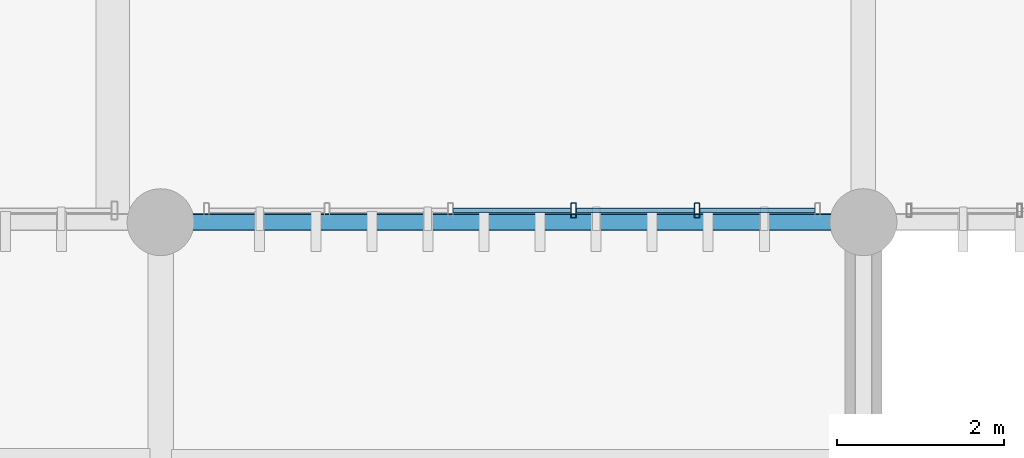
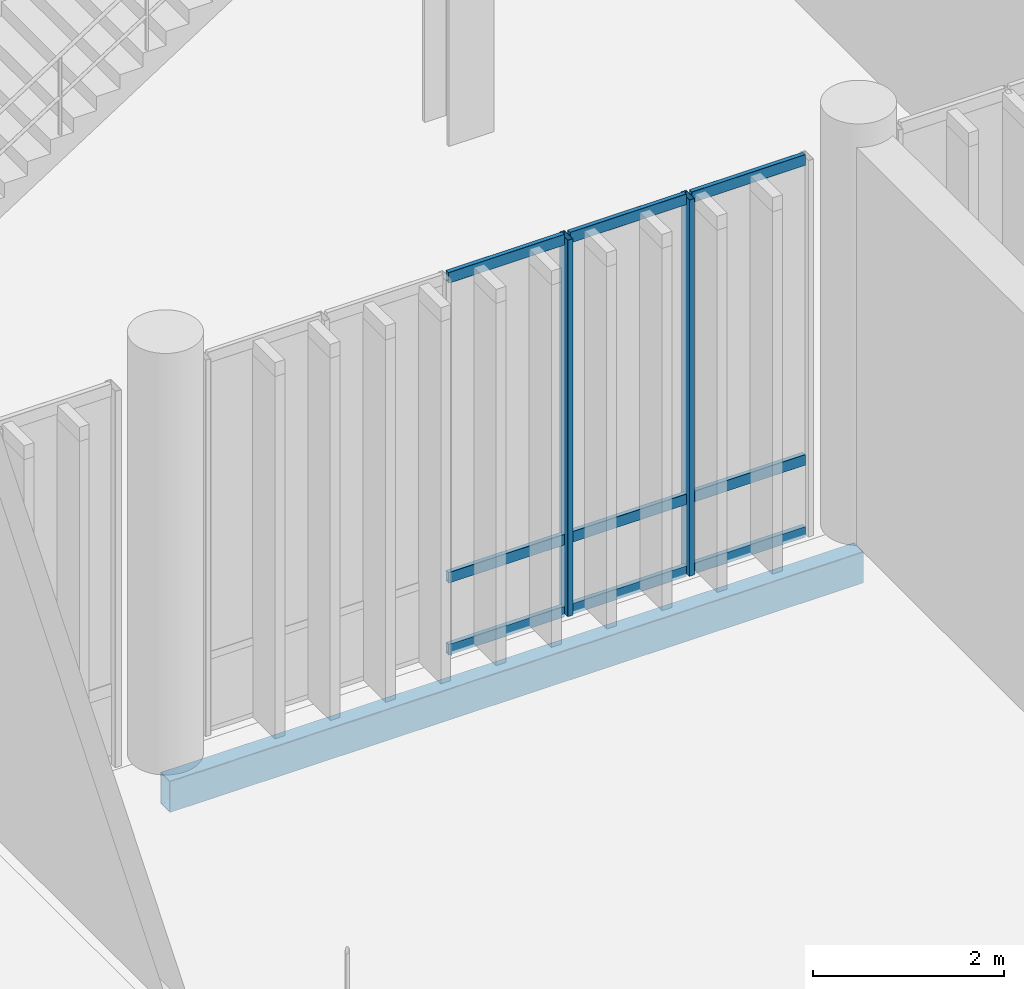
# One storey, part 19 of 128: 11 members, 1 beam, 1 element without a shape of its own.
"""IFC4 building model written with IfcOpenShell, lengths in metres."""

import ifcopenshell
import ifcopenshell.guid

model = None  # the IFC model being written
_history = None  # IfcOwnerHistory: only IFC2X3 demands one
_inside = {}  # id of a spatial element -> (the spatial element, [elements in it])
_under = {}  # id of a project, library or spatial element -> (it, [spatial elements below it])
_declared = {}  # id of a project -> (the project, [libraries it declares])
_typed = {}  # id of a type object -> (the type object, [elements of that type])
_made_of = {}  # id of a material, layer set ... -> (it, [elements and type objects made of it])


def new_model(schema):
    """Start an empty IFC model of exactly this schema.

    Asked for "IFC4X3", IfcOpenShell would pick the latest addendum, in which some entities
    have other attributes; the version numbers below select the first issue.
    IFC2X3 requires an IfcOwnerHistory on every rooted entity: one is made here for all.
    """
    global model, _history
    if schema == "IFC4X3":
        model = ifcopenshell.file(schema_version=(4, 3, 0, 0))
    else:
        model = ifcopenshell.file(schema=schema)
    _inside.clear()
    _under.clear()
    _declared.clear()
    _typed.clear()
    _made_of.clear()
    _history = None
    if model.schema == "IFC2X3":
        org = make("IfcOrganization", Name="unknown")
        user = make(
            "IfcPersonAndOrganization",
            ThePerson=make("IfcPerson", FamilyName="unknown"),
            TheOrganization=org,
        )
        app = make(
            "IfcApplication",
            ApplicationDeveloper=org,
            Version="unknown",
            ApplicationFullName="unknown",
            ApplicationIdentifier="unknown",
        )
        _history = make(
            "IfcOwnerHistory",
            OwningUser=user,
            OwningApplication=app,
            ChangeAction="ADDED",
            CreationDate=0,
        )
    return model


def make(cls, **values):
    """One entity of the class cls with the attributes given. An attribute that is None is left unset."""
    return model.create_entity(
        cls, **{name: value for name, value in values.items() if value is not None}
    )


def rooted(cls, **values):
    """An entity with a GlobalId (a new one), such as an element, a storey or a relation."""
    return make(cls, GlobalId=ifcopenshell.guid.new(), OwnerHistory=_history, **values)


def si_unit(unit_type, name, prefix=None):
    """IfcSIUnit, for example si_unit("LENGTHUNIT", "METRE", prefix="MILLI")."""
    return make("IfcSIUnit", UnitType=unit_type, Prefix=prefix, Name=name)


def assignment(units):
    """IfcUnitAssignment: the units of a project."""
    return None if units is None else make("IfcUnitAssignment", Units=units)


def point(xyz):
    """IfcCartesianPoint."""
    return None if xyz is None else make("IfcCartesianPoint", Coordinates=xyz)


def direction(xyz):
    """IfcDirection."""
    return None if xyz is None else make("IfcDirection", DirectionRatios=xyz)


def frame(location, z_axis=None, x_axis=None):
    """IfcAxis2Placement3D, a coordinate frame: its origin and axes. An axis left out is left unset."""
    return make(
        "IfcAxis2Placement3D",
        Location=point(location),
        Axis=direction(z_axis),
        RefDirection=direction(x_axis),
    )


def frame_2d(location, x_axis=None):
    """IfcAxis2Placement2D, a coordinate frame in the plane: its origin and x axis."""
    return make(
        "IfcAxis2Placement2D", Location=point(location), RefDirection=direction(x_axis)
    )


def origin_with_axes():
    """The frame at (0, 0, 0) with the z axis (0, 0, 1) and the x axis (1, 0, 0) written out."""
    return frame((0.0, 0.0, 0.0), z_axis=(0.0, 0.0, 1.0), x_axis=(1.0, 0.0, 0.0))


def origin_2d_with_axis():
    """The frame at (0, 0) in the plane with the x axis (1, 0) written out."""
    return frame_2d((0.0, 0.0), x_axis=(1.0, 0.0))


def place(relative_to, where):
    """IfcLocalPlacement: puts the frame where relative to a parent placement (None: the world)."""
    return make(
        "IfcLocalPlacement", PlacementRelTo=relative_to, RelativePlacement=where
    )


def context(
    kind, dimensions, precision=None, world=None, true_north=None, identifier=None
):
    """IfcGeometricRepresentationContext, for example the 3D "Model" context."""
    return make(
        "IfcGeometricRepresentationContext",
        ContextIdentifier=identifier,
        ContextType=kind,
        CoordinateSpaceDimension=dimensions,
        Precision=precision,
        WorldCoordinateSystem=world,
        TrueNorth=true_north,
    )


def subcontext(parent, identifier, kind, view, scale=None):
    """IfcGeometricRepresentationSubContext, for example "Body" below "Model"."""
    return make(
        "IfcGeometricRepresentationSubContext",
        ContextIdentifier=identifier,
        ContextType=kind,
        ParentContext=parent,
        TargetScale=scale,
        TargetView=view,
    )


def project(units=None, contexts=None):
    """IfcProject with its units and contexts."""
    return rooted(
        "IfcProject",
        Name="project",
        RepresentationContexts=contexts,
        UnitsInContext=assignment(units),
    )


def spatial(cls, under=None, at=None, **own):
    """A site, building, storey or space (cls), placed at a placement, below another one or the project."""
    s = rooted(cls, ObjectPlacement=at, **own)
    if under is not None:
        _under.setdefault(under.id(), (under, []))[1].append(s)
    return s


def profile(cls, at=None, kind="AREA", **sizes):
    """A parametric profile (cls). Its sizes go by their IFC names, for example OverallWidth=200.0."""
    return make(cls, ProfileType=kind, Position=at, **sizes)


def hollow_rectangle(**sizes):
    """IfcRectangleHollowProfileDef."""
    return profile("IfcRectangleHollowProfileDef", **sizes)


def extrude(swept, where, along, depth):
    """IfcExtrudedAreaSolid: the profile swept, set in the frame where, extruded along a direction by depth."""
    return make(
        "IfcExtrudedAreaSolid",
        SweptArea=swept,
        Position=where,
        ExtrudedDirection=direction(along),
        Depth=depth,
    )


def shape(context_of_items, identifier, shape_type, items):
    """IfcShapeRepresentation: the items that make up one representation, for example the "Body"."""
    return make(
        "IfcShapeRepresentation",
        ContextOfItems=context_of_items,
        RepresentationIdentifier=identifier,
        RepresentationType=shape_type,
        Items=items,
    )


def material(Name=None, Category=None):
    """IfcMaterial."""
    return make("IfcMaterial", Name=Name, Category=Category)


def material_profile(
    of_material, cross_section, Name=None, Category=None, Priority=None
):
    """IfcMaterialProfile: a cross section and its material."""
    return make(
        "IfcMaterialProfile",
        Name=Name,
        Material=of_material,
        Profile=cross_section,
        Priority=Priority,
        Category=Category,
    )


def profile_set(profiles, Name=None, composite=None):
    """IfcMaterialProfileSet."""
    return make(
        "IfcMaterialProfileSet",
        Name=Name,
        MaterialProfiles=profiles,
        CompositeProfile=composite,
    )


def made_of(thing, what):
    """Note that an element or type object is made of a material, layer set ...; save() writes the relation."""
    if what is not None:
        _made_of.setdefault(what.id(), (what, []))[1].append(thing)
    return thing


def type_object(cls, material=None, **own):
    """A type object (cls), such as IfcWallType, which elements share."""
    return made_of(rooted(cls, **own), material)


def element(
    cls,
    number,
    at=None,
    inside=None,
    cuts=None,
    type_object=None,
    material=None,
    context=None,
    identifier="Body",
    shape_type=None,
    held_by="IfcProductDefinitionShape",
    body=None,
    shapes=None,
    **own,
):
    """One element of the class cls, such as IfcWall. Its Tag is "e" and its number.

    at: its placement. inside: the storey or other place that contains it. cuts: it is an
    opening in that element (IfcRelVoidsElement). A single representation is given by context,
    identifier, shape_type and body (its items); several are given by shapes. held_by: the class
    of the entity that holds the representations. save() writes the other relations.
    """
    e = rooted(cls, Tag="e%d" % number, ObjectPlacement=at, **own)
    if body is not None:
        shapes = [shape(context, identifier, shape_type, body)]
    if shapes is not None:
        e.Representation = make(held_by, Representations=shapes)
    if inside is not None:
        _inside.setdefault(inside.id(), (inside, []))[1].append(e)
    if cuts is not None:
        rooted(
            "IfcRelVoidsElement", RelatingBuildingElement=cuts, RelatedOpeningElement=e
        )
    if type_object is not None:
        _typed.setdefault(type_object.id(), (type_object, []))[1].append(e)
    return made_of(e, material)


def aggregate(whole, parts):
    """IfcRelAggregates: a whole, such as a stair, and the parts it consists of."""
    return rooted("IfcRelAggregates", RelatingObject=whole, RelatedObjects=parts)


def save(model, path):
    """Write the relations noted so far, then the file.

    IfcRelAggregates (storeys below a building ...), IfcRelContainedInSpatialStructure (elements
    in a storey), IfcRelDefinesByType, IfcRelAssociatesMaterial and IfcRelDeclares: one each for
    every whole, place, type object, material and project.
    """
    for whole, parts in _under.values():
        aggregate(whole, parts)
    for where, things in _inside.values():
        rooted(
            "IfcRelContainedInSpatialStructure",
            RelatedElements=things,
            RelatingStructure=where,
        )
    for kind, things in _typed.values():
        rooted("IfcRelDefinesByType", RelatedObjects=things, RelatingType=kind)
    for what, things in _made_of.values():
        rooted("IfcRelAssociatesMaterial", RelatedObjects=things, RelatingMaterial=what)
    for by, libraries in _declared.values():
        rooted("IfcRelDeclares", RelatingContext=by, RelatedDefinitions=libraries)
    model.write(path)


model = new_model("IFC4")

# Units and contexts
model_context = context("Model", 3, precision=1e-05, world=origin_with_axes(), true_north=direction((0.0, 1.0)))
body_context = subcontext(model_context, "Body", "Model", "MODEL_VIEW")
ifc_project = project(units=[si_unit("LENGTHUNIT", "METRE"), si_unit("AREAUNIT", "SQUARE_METRE"), si_unit("VOLUMEUNIT", "CUBIC_METRE"), si_unit("PLANEANGLEUNIT", "RADIAN"), si_unit("MASSUNIT", "GRAM", prefix="KILO"), si_unit("THERMODYNAMICTEMPERATUREUNIT", "KELVIN")], contexts=[model_context])

# Site, building, storey
site_placement = place(None, origin_with_axes())
site = spatial("IfcSite", under=ifc_project, at=site_placement, CompositionType="ELEMENT")
building_placement = place(site_placement, origin_with_axes())
building = spatial("IfcBuilding", under=site, at=building_placement, Name="Montbau Bow Law Courts", CompositionType="ELEMENT")
storey_placement = place(building_placement, frame((0.0, 0.0, 5.4), z_axis=(0.0, 0.0, 1.0), x_axis=(1.0, 0.0, 0.0)))
storey = spatial("IfcBuildingStorey", under=building, at=storey_placement, Name="L01", CompositionType="ELEMENT", Elevation=5.4)

# Beam
ifc_material_1 = material(Name="Steel CSA G40.21 Grade 350WT (350 MPa)", Category="steel")
ifc_material_profile_1 = material_profile(ifc_material_1, hollow_rectangle(XDim=0.203, YDim=0.406, WallThickness=0.0127, InnerFilletRadius=0.0254, OuterFilletRadius=0.0127, at=origin_2d_with_axis()), Name="HSS406X203X13", Category="Main", Priority=0)
ifc_profile_set_1 = profile_set([ifc_material_profile_1], Name="Steel CSA G40.21 Grade 350WT (350 MPa)")
beam_type = type_object("IfcBeamType", Name="B-SPN-01", PredefinedType="SPANDREL", material=ifc_profile_set_1)
beam_placement = place(None, frame((30.6, 30.6, 4.897), z_axis=(1.0, 0.0, 0.0), x_axis=(0.0, 1.0, 0.0)))
element("IfcBeam", 1, at=beam_placement, inside=storey, type_object=beam_type, Name="SPN-L01-S0503:bm2_0506", PredefinedType="SPANDREL", context=body_context, shape_type="SweptSolid", body=[
    extrude(hollow_rectangle(XDim=0.203, YDim=0.406, WallThickness=0.0127, InnerFilletRadius=0.0254, OuterFilletRadius=0.0127, at=origin_2d_with_axis()), origin_with_axes(), (0.0, 0.0, 1.0), 8.4),
])

# Curtain wall, members
ifc_material_2 = material(Name="Thermally Broken Extruded Aluminium AA 6063-T6", Category="aluminium")
curtain_wall_type = type_object("IfcCurtainWallType", Name="CW-TRC-01", PredefinedType="NOTDEFINED", material=ifc_material_2)
curtain_wall_placement = place(None, frame((31.115, 30.74, 5.4), z_axis=(0.0, 0.0, 1.0), x_axis=(1.0, 0.0, 0.0)))
curtain_wall = element("IfcCurtainWall", 2, at=curtain_wall_placement, inside=storey, type_object=curtain_wall_type, Name="CW-L01-019:cw_0019", PredefinedType="NOTDEFINED")
ifc_material_profile_2 = material_profile(ifc_material_2, hollow_rectangle(XDim=0.065, YDim=0.18, WallThickness=0.005, InnerFilletRadius=0.01, OuterFilletRadius=0.005, at=origin_2d_with_axis()), Name="CWM-180X65", Category="Main", Priority=0)
ifc_profile_set_2 = profile_set([ifc_material_profile_2], Name="Thermally Broken Extruded Aluminium AA 6063-T6")
member_type_1 = type_object("IfcMemberType", Name="M-MUL-02", PredefinedType="MULLION", material=ifc_profile_set_2)
member_1_placement = place(None, frame((35.537, 30.74, 5.4), z_axis=(0.0, 0.0, 1.0), x_axis=(1.0, 0.0, 0.0)))
member_1 = element("IfcMember", 3, at=member_1_placement, type_object=member_type_1, Name="CW-L01-019-M04:cw_0019_M04", PredefinedType="MULLION", context=body_context, shape_type="SweptSolid", body=[
    extrude(hollow_rectangle(XDim=0.065, YDim=0.18, WallThickness=0.005, InnerFilletRadius=0.01, OuterFilletRadius=0.005, at=origin_2d_with_axis()), origin_with_axes(), (0.0, 0.0, 1.0), 4.82),
])
member_2_placement = place(None, frame((37.011, 30.74, 5.4), z_axis=(0.0, 0.0, 1.0), x_axis=(1.0, 0.0, 0.0)))
member_2 = element("IfcMember", 4, at=member_2_placement, type_object=member_type_1, Name="CW-L01-019-M05:cw_0019_M05", PredefinedType="MULLION", context=body_context, shape_type="SweptSolid", body=[
    extrude(hollow_rectangle(XDim=0.065, YDim=0.18, WallThickness=0.005, InnerFilletRadius=0.01, OuterFilletRadius=0.005, at=origin_2d_with_axis()), origin_with_axes(), (0.0, 0.0, 1.0), 4.82),
])
ifc_material_profile_3 = material_profile(ifc_material_2, hollow_rectangle(XDim=0.055, YDim=0.14, WallThickness=0.004, InnerFilletRadius=0.008, OuterFilletRadius=0.004, at=origin_2d_with_axis()), Name="CWT-140X55", Category="Main", Priority=0)
ifc_profile_set_3 = profile_set([ifc_material_profile_3], Name="Thermally Broken Extruded Aluminium AA 6063-T6")
member_type_2 = type_object("IfcMemberType", Name="M-TRN-02", PredefinedType="USERDEFINED", material=ifc_profile_set_3)
member_3_placement = place(None, frame((34.097, 30.74, 5.428), z_axis=(1.0, 0.0, 0.0), x_axis=(0.0, 1.0, 0.0)))
member_3 = element("IfcMember", 5, at=member_3_placement, type_object=member_type_2, Name="CW-L01-019-T03-1:cw_0019_T03_1", ObjectType="TRANSOM", PredefinedType="USERDEFINED", context=body_context, shape_type="SweptSolid", body=[
    extrude(hollow_rectangle(XDim=0.055, YDim=0.14, WallThickness=0.004, InnerFilletRadius=0.008, OuterFilletRadius=0.004, at=origin_2d_with_axis()), origin_with_axes(), (0.0, 0.0, 1.0), 1.406),
])
member_4_placement = place(None, frame((34.097, 30.74, 6.35), z_axis=(1.0, 0.0, 0.0), x_axis=(0.0, 1.0, 0.0)))
member_4 = element("IfcMember", 6, at=member_4_placement, type_object=member_type_2, Name="CW-L01-019-T03-2:cw_0019_T03_2", ObjectType="TRANSOM", PredefinedType="USERDEFINED", context=body_context, shape_type="SweptSolid", body=[
    extrude(hollow_rectangle(XDim=0.055, YDim=0.14, WallThickness=0.004, InnerFilletRadius=0.008, OuterFilletRadius=0.004, at=origin_2d_with_axis()), origin_with_axes(), (0.0, 0.0, 1.0), 1.406),
])
member_5_placement = place(None, frame((34.097, 30.74, 10.193), z_axis=(1.0, 0.0, 0.0), x_axis=(0.0, 1.0, 0.0)))
member_5 = element("IfcMember", 7, at=member_5_placement, type_object=member_type_2, Name="CW-L01-019-T03-3:cw_0019_T03_3", ObjectType="TRANSOM", PredefinedType="USERDEFINED", context=body_context, shape_type="SweptSolid", body=[
    extrude(hollow_rectangle(XDim=0.055, YDim=0.14, WallThickness=0.004, InnerFilletRadius=0.008, OuterFilletRadius=0.004, at=origin_2d_with_axis()), origin_with_axes(), (0.0, 0.0, 1.0), 1.406),
])
member_6_placement = place(None, frame((35.571, 30.74, 5.428), z_axis=(1.0, 0.0, 0.0), x_axis=(0.0, 1.0, 0.0)))
member_6 = element("IfcMember", 8, at=member_6_placement, type_object=member_type_2, Name="CW-L01-019-T04-1:cw_0019_T04_1", ObjectType="TRANSOM", PredefinedType="USERDEFINED", context=body_context, shape_type="SweptSolid", body=[
    extrude(hollow_rectangle(XDim=0.055, YDim=0.14, WallThickness=0.004, InnerFilletRadius=0.008, OuterFilletRadius=0.004, at=origin_2d_with_axis()), origin_with_axes(), (0.0, 0.0, 1.0), 1.406),
])
member_7_placement = place(None, frame((35.571, 30.74, 6.35), z_axis=(1.0, 0.0, 0.0), x_axis=(0.0, 1.0, 0.0)))
member_7 = element("IfcMember", 9, at=member_7_placement, type_object=member_type_2, Name="CW-L01-019-T04-2:cw_0019_T04_2", ObjectType="TRANSOM", PredefinedType="USERDEFINED", context=body_context, shape_type="SweptSolid", body=[
    extrude(hollow_rectangle(XDim=0.055, YDim=0.14, WallThickness=0.004, InnerFilletRadius=0.008, OuterFilletRadius=0.004, at=origin_2d_with_axis()), origin_with_axes(), (0.0, 0.0, 1.0), 1.406),
])
member_8_placement = place(None, frame((35.571, 30.74, 10.193), z_axis=(1.0, 0.0, 0.0), x_axis=(0.0, 1.0, 0.0)))
member_8 = element("IfcMember", 10, at=member_8_placement, type_object=member_type_2, Name="CW-L01-019-T04-3:cw_0019_T04_3", ObjectType="TRANSOM", PredefinedType="USERDEFINED", context=body_context, shape_type="SweptSolid", body=[
    extrude(hollow_rectangle(XDim=0.055, YDim=0.14, WallThickness=0.004, InnerFilletRadius=0.008, OuterFilletRadius=0.004, at=origin_2d_with_axis()), origin_with_axes(), (0.0, 0.0, 1.0), 1.406),
])
member_9_placement = place(None, frame((37.045, 30.74, 5.428), z_axis=(1.0, 0.0, 0.0), x_axis=(0.0, 1.0, 0.0)))
member_9 = element("IfcMember", 11, at=member_9_placement, type_object=member_type_2, Name="CW-L01-019-T05-1:cw_0019_T05_1", ObjectType="TRANSOM", PredefinedType="USERDEFINED", context=body_context, shape_type="SweptSolid", body=[
    extrude(hollow_rectangle(XDim=0.055, YDim=0.14, WallThickness=0.004, InnerFilletRadius=0.008, OuterFilletRadius=0.004, at=origin_2d_with_axis()), origin_with_axes(), (0.0, 0.0, 1.0), 1.374),
])
member_10_placement = place(None, frame((37.045, 30.74, 6.35), z_axis=(1.0, 0.0, 0.0), x_axis=(0.0, 1.0, 0.0)))
member_10 = element("IfcMember", 12, at=member_10_placement, type_object=member_type_2, Name="CW-L01-019-T05-2:cw_0019_T05_2", ObjectType="TRANSOM", PredefinedType="USERDEFINED", context=body_context, shape_type="SweptSolid", body=[
    extrude(hollow_rectangle(XDim=0.055, YDim=0.14, WallThickness=0.004, InnerFilletRadius=0.008, OuterFilletRadius=0.004, at=origin_2d_with_axis()), origin_with_axes(), (0.0, 0.0, 1.0), 1.374),
])
member_11_placement = place(None, frame((37.045, 30.74, 10.193), z_axis=(1.0, 0.0, 0.0), x_axis=(0.0, 1.0, 0.0)))
member_11 = element("IfcMember", 13, at=member_11_placement, type_object=member_type_2, Name="CW-L01-019-T05-3:cw_0019_T05_3", ObjectType="TRANSOM", PredefinedType="USERDEFINED", context=body_context, shape_type="SweptSolid", body=[
    extrude(hollow_rectangle(XDim=0.055, YDim=0.14, WallThickness=0.004, InnerFilletRadius=0.008, OuterFilletRadius=0.004, at=origin_2d_with_axis()), origin_with_axes(), (0.0, 0.0, 1.0), 1.374),
])
aggregate(curtain_wall, [member_1, member_2, member_3, member_4, member_5, member_6, member_7, member_8, member_9, member_10, member_11])

save(model, "model.ifc")
